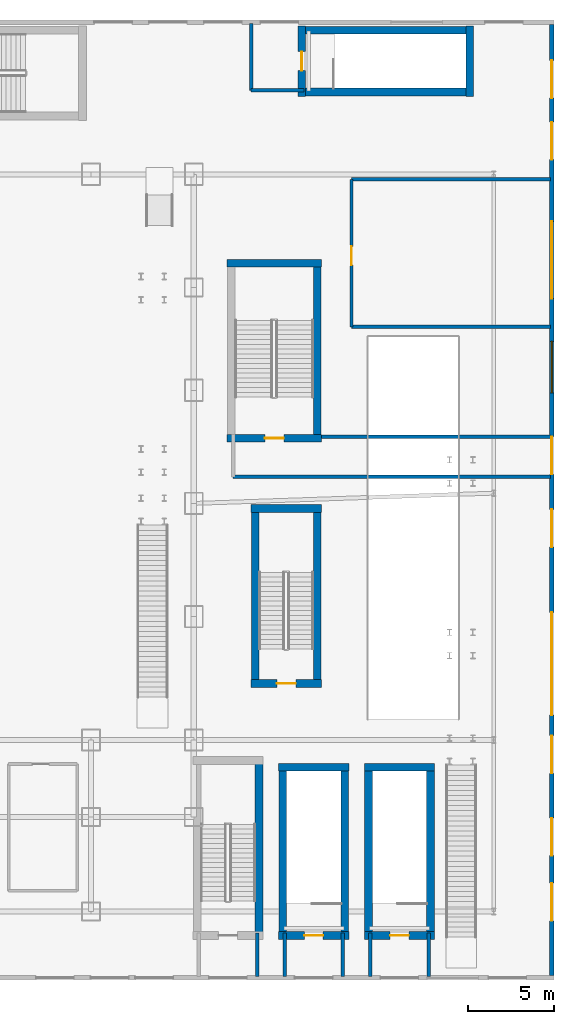
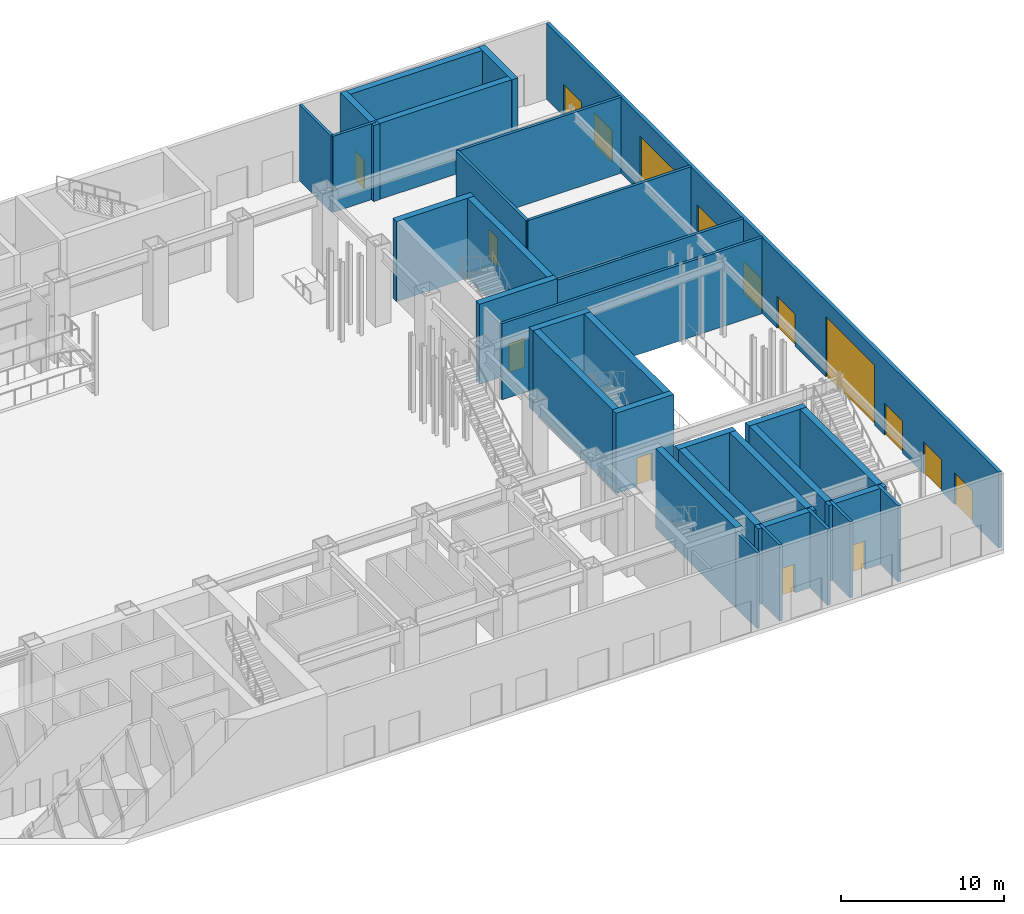
# One storey, part 15 of 25: 33 walls, 15 doors, 1 window, 16 openings.
"""IFC4 building model written with IfcOpenShell, lengths in metres."""

from ifc_helpers import new_model, si_unit, derived_unit, direction, frame, frame_2d, origin, place, context, subcontext, project, spatial, rectangle, extrude, source, transform, mapped, material, layer, layer_set, type_object, element, fill, save


model = new_model("IFC4")

# Units and contexts
model_context = context("Model", 3, precision=1e-05, world=origin(), true_north=direction((0.0, 1.0)))
body_context = subcontext(model_context, "Body", "Model", "MODEL_VIEW")
ifc_project = project(units=[si_unit("LENGTHUNIT", "METRE"), si_unit("AREAUNIT", "SQUARE_METRE"), si_unit("VOLUMEUNIT", "CUBIC_METRE"), si_unit("PLANEANGLEUNIT", "RADIAN"), si_unit("MASSUNIT", "GRAM", prefix="KILO"), derived_unit("THERMALTRANSMITTANCEUNIT", [(si_unit("POWERUNIT", "WATT"), 1), (si_unit("LENGTHUNIT", "METRE"), -2), (si_unit("THERMODYNAMICTEMPERATUREUNIT", "KELVIN"), -1)])], contexts=[model_context])

# Site, building, storey
site_placement = place(None, origin())
site = spatial("IfcSite", under=ifc_project, at=site_placement, CompositionType="ELEMENT")
building_placement = place(site_placement, origin())
building = spatial("IfcBuilding", under=site, at=building_placement, Name="Skarnbrae Concourse Arena and Tower", CompositionType="ELEMENT")
storey_placement = place(building_placement, origin())
storey = spatial("IfcBuildingStorey", under=building, at=storey_placement, Name="L00", CompositionType="ELEMENT", Elevation=0.0)

# Wall, openings, doors, window
ifc_material_1 = material(Name="Precast concrete 40 MPa (C40/50)", Category="concrete")
ifc_layer_1 = layer(ifc_material_1, 0.25)
ifc_layer_set_1 = layer_set([ifc_layer_1], Name="Precast concrete 40 MPa (C40/50)")
wall_type_1 = type_object("IfcWallType", Name="WALL-EXT-SPANDREL-250", PredefinedType="STANDARD", material=ifc_layer_set_1)
shared_shape_1 = source(origin(), body_context, "Body", "SweptSolid", [
    extrude(rectangle(XDim=55.5, YDim=0.25, at=frame_2d((27.75, 0.0))), origin(), (0.0, 0.0, 1.0), 5.699951171875),
])
wall_1_placement = place(storey_placement, frame((81.875, 0.25, 0.0), z_axis=(0.0, 0.0, 1.0), x_axis=(0.0, 1.0, 0.0)))
wall_1 = element("IfcWall", 1, at=wall_1_placement, inside=storey, type_object=wall_type_1, Name="L00 Podium exterior precast wall E", PredefinedType="STANDARD", context=body_context, shape_type="MappedRepresentation", body=[
    mapped(shared_shape_1, transform((0.0, 0.0, 0.0))),
])
opening_1_placement = place(wall_1_placement, frame((3.199951171875, 0.0, 0.0)))
opening_1 = element("IfcOpeningElement", 2, at=opening_1_placement, cuts=wall_1, Name="Opening DT-EX", PredefinedType="OPENING", context=body_context, shape_type="SweptSolid", body=[
    extrude(rectangle(XDim=2.199951171875, YDim=2.39990234375, at=frame_2d((1.10009765625, 1.199951171875))), frame((0.0, 0.135009765625, 0.0), z_axis=(0.0, -1.0, 0.0), x_axis=(1.0, 0.0, 0.0)), (0.0, 0.0, 1.0), 0.27001953125),
])
opening_2_placement = place(wall_1_placement, frame((7.0, 0.0, 0.0)))
opening_2 = element("IfcOpeningElement", 3, at=opening_2_placement, cuts=wall_1, Name="Opening DT-EX", PredefinedType="OPENING", context=body_context, shape_type="SweptSolid", body=[
    extrude(rectangle(XDim=2.199951171875, YDim=2.39990234375, at=frame_2d((1.10009765625, 1.199951171875))), frame((0.0, 0.135009765625, 0.0), z_axis=(0.0, -1.0, 0.0), x_axis=(1.0, 0.0, 0.0)), (0.0, 0.0, 1.0), 0.27001953125),
])
opening_3_placement = place(wall_1_placement, frame((11.800048828125, 0.0, 0.0)))
opening_3 = element("IfcOpeningElement", 4, at=opening_3_placement, cuts=wall_1, Name="Opening DT-EX", PredefinedType="OPENING", context=body_context, shape_type="SweptSolid", body=[
    extrude(rectangle(XDim=2.199951171875, YDim=2.39990234375, at=frame_2d((1.10009765625, 1.199951171875))), frame((0.0, 0.135009765625, 0.0), z_axis=(0.0, -1.0, 0.0), x_axis=(1.0, 0.0, 0.0)), (0.0, 0.0, 1.0), 0.27001953125),
])
opening_4_placement = place(wall_1_placement, frame((25.0, 0.0, 0.0)))
opening_4 = element("IfcOpeningElement", 5, at=opening_4_placement, cuts=wall_1, Name="Opening DT-EX", PredefinedType="OPENING", context=body_context, shape_type="SweptSolid", body=[
    extrude(rectangle(XDim=2.199951171875, YDim=2.39990234375, at=frame_2d((1.10009765625, 1.199951171875))), frame((0.0, 0.135009765625, 0.0), z_axis=(0.0, -1.0, 0.0), x_axis=(1.0, 0.0, 0.0)), (0.0, 0.0, 1.0), 0.27001953125),
])
opening_5_placement = place(wall_1_placement, frame((29.25, 0.0, 0.0)))
opening_5 = element("IfcOpeningElement", 6, at=opening_5_placement, cuts=wall_1, Name="Opening DT-EX", PredefinedType="OPENING", context=body_context, shape_type="SweptSolid", body=[
    extrude(rectangle(XDim=2.199951171875, YDim=2.39990234375, at=frame_2d((1.10009765625, 1.199951171875))), frame((0.0, 0.135009765625, 0.0), z_axis=(0.0, -1.0, 0.0), x_axis=(1.0, 0.0, 0.0)), (0.0, 0.0, 1.0), 0.27001953125),
])
opening_6_placement = place(wall_1_placement, frame((47.60009765625, 0.0, 0.0)))
opening_6 = element("IfcOpeningElement", 7, at=opening_6_placement, cuts=wall_1, Name="Opening DT-EX", PredefinedType="OPENING", context=body_context, shape_type="SweptSolid", body=[
    extrude(rectangle(XDim=2.199951171875, YDim=2.39990234375, at=frame_2d((1.10009765625, 1.199951171875))), frame((0.0, 0.135009765625, 0.0), z_axis=(0.0, -1.0, 0.0), x_axis=(1.0, 0.0, 0.0)), (0.0, 0.0, 1.0), 0.27001953125),
])
opening_7_placement = place(wall_1_placement, frame((51.199951171875, 0.0, 0.0)))
opening_7 = element("IfcOpeningElement", 8, at=opening_7_placement, cuts=wall_1, Name="Opening DT-EX", PredefinedType="OPENING", context=body_context, shape_type="SweptSolid", body=[
    extrude(rectangle(XDim=2.199951171875, YDim=2.39990234375, at=frame_2d((1.10009765625, 1.199951171875))), frame((0.0, 0.135009765625, 0.0), z_axis=(0.0, -1.0, 0.0), x_axis=(1.0, 0.0, 0.0)), (0.0, 0.0, 1.0), 0.27001953125),
])
opening_8_placement = place(wall_1_placement, frame((15.199951171875, 0.0, 0.0)))
opening_8 = element("IfcOpeningElement", 9, at=opening_8_placement, cuts=wall_1, Name="Opening VG-01", PredefinedType="OPENING", context=body_context, shape_type="SweptSolid", body=[
    extrude(rectangle(XDim=6.0, YDim=4.5, at=frame_2d((3.0, 2.25))), frame((0.0, 0.135009765625, 0.0), z_axis=(0.0, -1.0, 0.0), x_axis=(1.0, 0.0, 0.0)), (0.0, 0.0, 1.0), 0.27001953125),
])
opening_9_placement = place(wall_1_placement, frame((39.5, 0.0, 0.0)))
opening_9 = element("IfcOpeningElement", 10, at=opening_9_placement, cuts=wall_1, Name="Opening VG-02", PredefinedType="OPENING", context=body_context, shape_type="SweptSolid", body=[
    extrude(rectangle(XDim=4.5, YDim=4.199951171875, at=frame_2d((2.25, 2.10009765625))), frame((0.0, 0.135009765625, 0.0), z_axis=(0.0, -1.0, 0.0), x_axis=(1.0, 0.0, 0.0)), (0.0, 0.0, 1.0), 0.27001953125),
])
opening_10_placement = place(wall_1_placement, frame((34.0, 0.0, 0.89990234375)))
opening_10 = element("IfcOpeningElement", 11, at=opening_10_placement, cuts=wall_1, Name="Opening WN-04", PredefinedType="OPENING", context=body_context, shape_type="SweptSolid", body=[
    extrude(rectangle(XDim=3.0, YDim=2.39990234375, at=frame_2d((1.5, 1.199951171875))), frame((0.0, 0.135009765625, 0.0), z_axis=(0.0, -1.0, 0.0), x_axis=(1.0, 0.0, 0.0)), (0.0, 0.0, 1.0), 0.27001953125),
])
ifc_material_2 = material(Name="Bronze anodised aluminium 6063-T6", Category="aluminium")
door_type_1 = type_object("IfcDoorType", Name="DOOR-EXIT-2200", OperationType="DOUBLE_DOOR_SINGLE_SWING", PredefinedType="DOOR", material=ifc_material_2)
shared_shape_2 = source(origin(), body_context, "Body", "SweptSolid", [
    extrude(rectangle(XDim=2.199951171875, YDim=2.39990234375, at=frame_2d((1.10009765625, 1.199951171875))), frame((0.0, 0.02490234375, 0.0), z_axis=(0.0, -1.0, 0.0), x_axis=(1.0, 0.0, 0.0)), (0.0, 0.0, 1.0), 0.050048828125),
])
door_1_placement = place(opening_1_placement, frame((2.199951171875, 0.0, 0.0), z_axis=(0.0, 0.0, 1.0), x_axis=(-1.0, 0.0, 0.0)))
door_1 = element("IfcDoor", 12, at=door_1_placement, inside=storey, type_object=door_type_1, Name="D-0028 Final Exit EX-28", OperationType="DOUBLE_DOOR_SINGLE_SWING", OverallHeight=2.39990234375, OverallWidth=2.199951171875, PredefinedType="DOOR", context=body_context, shape_type="MappedRepresentation", body=[
    mapped(shared_shape_2, transform((0.0, 0.0, 0.0))),
])
fill(opening_1, door_1)
door_2_placement = place(opening_2_placement, frame((2.199951171875, 0.0, 0.0), z_axis=(0.0, 0.0, 1.0), x_axis=(-1.0, 0.0, 0.0)))
door_2 = element("IfcDoor", 13, at=door_2_placement, inside=storey, type_object=door_type_1, Name="D-0029 Final Exit EX-29", OperationType="DOUBLE_DOOR_SINGLE_SWING", OverallHeight=2.39990234375, OverallWidth=2.199951171875, PredefinedType="DOOR", context=body_context, shape_type="MappedRepresentation", body=[
    mapped(shared_shape_2, transform((0.0, 0.0, 0.0))),
])
fill(opening_2, door_2)
door_3_placement = place(opening_3_placement, frame((2.199951171875, 0.0, 0.0), z_axis=(0.0, 0.0, 1.0), x_axis=(-1.0, 0.0, 0.0)))
door_3 = element("IfcDoor", 14, at=door_3_placement, inside=storey, type_object=door_type_1, Name="D-0030 Final Exit EX-30", OperationType="DOUBLE_DOOR_SINGLE_SWING", OverallHeight=2.39990234375, OverallWidth=2.199951171875, PredefinedType="DOOR", context=body_context, shape_type="MappedRepresentation", body=[
    mapped(shared_shape_2, transform((0.0, 0.0, 0.0))),
])
fill(opening_3, door_3)
door_4_placement = place(opening_4_placement, frame((2.199951171875, 0.0, 0.0), z_axis=(0.0, 0.0, 1.0), x_axis=(-1.0, 0.0, 0.0)))
door_4 = element("IfcDoor", 15, at=door_4_placement, inside=storey, type_object=door_type_1, Name="D-0031 Final Exit EX-31", OperationType="DOUBLE_DOOR_SINGLE_SWING", OverallHeight=2.39990234375, OverallWidth=2.199951171875, PredefinedType="DOOR", context=body_context, shape_type="MappedRepresentation", body=[
    mapped(shared_shape_2, transform((0.0, 0.0, 0.0))),
])
fill(opening_4, door_4)
door_5_placement = place(opening_5_placement, frame((2.199951171875, 0.0, 0.0), z_axis=(0.0, 0.0, 1.0), x_axis=(-1.0, 0.0, 0.0)))
door_5 = element("IfcDoor", 16, at=door_5_placement, inside=storey, type_object=door_type_1, Name="D-0032 Final Exit EX-32", OperationType="DOUBLE_DOOR_SINGLE_SWING", OverallHeight=2.39990234375, OverallWidth=2.199951171875, PredefinedType="DOOR", context=body_context, shape_type="MappedRepresentation", body=[
    mapped(shared_shape_2, transform((0.0, 0.0, 0.0))),
])
fill(opening_5, door_5)
door_6_placement = place(opening_6_placement, frame((2.199951171875, 0.0, 0.0), z_axis=(0.0, 0.0, 1.0), x_axis=(-1.0, 0.0, 0.0)))
door_6 = element("IfcDoor", 17, at=door_6_placement, inside=storey, type_object=door_type_1, Name="D-0033 Final Exit EX-33", OperationType="DOUBLE_DOOR_SINGLE_SWING", OverallHeight=2.39990234375, OverallWidth=2.199951171875, PredefinedType="DOOR", context=body_context, shape_type="MappedRepresentation", body=[
    mapped(shared_shape_2, transform((0.0, 0.0, 0.0))),
])
fill(opening_6, door_6)
door_7_placement = place(opening_7_placement, frame((2.199951171875, 0.0, 0.0), z_axis=(0.0, 0.0, 1.0), x_axis=(-1.0, 0.0, 0.0)))
door_7 = element("IfcDoor", 18, at=door_7_placement, inside=storey, type_object=door_type_1, Name="D-0034 Final Exit EX-34", OperationType="DOUBLE_DOOR_SINGLE_SWING", OverallHeight=2.39990234375, OverallWidth=2.199951171875, PredefinedType="DOOR", context=body_context, shape_type="MappedRepresentation", body=[
    mapped(shared_shape_2, transform((0.0, 0.0, 0.0))),
])
fill(opening_7, door_7)
ifc_material_3 = material(Name="Steel CSA G40.21 350W", Category="steel")
door_type_2 = type_object("IfcDoorType", Name="DOOR-GATE-6000", OperationType="USERDEFINED", PredefinedType="GATE", material=ifc_material_3)
shared_shape_3 = source(origin(), body_context, "Body", "SweptSolid", [
    extrude(rectangle(XDim=6.0, YDim=4.5, at=frame_2d((3.0, 2.25))), frame((0.0, 0.02490234375, 0.0), z_axis=(0.0, -1.0, 0.0), x_axis=(1.0, 0.0, 0.0)), (0.0, 0.0, 1.0), 0.050048828125),
])
door_8_placement = place(opening_8_placement, frame((6.0, 0.0, 0.0), z_axis=(0.0, 0.0, 1.0), x_axis=(-1.0, 0.0, 0.0)))
door_8 = element("IfcDoor", 19, at=door_8_placement, inside=storey, type_object=door_type_2, Name="D-0035 Transit Service Bay Shutter VG-01", OperationType="ROLLINGUP", OverallHeight=4.5, OverallWidth=6.0, PredefinedType="GATE", context=body_context, shape_type="MappedRepresentation", body=[
    mapped(shared_shape_3, transform((0.0, 0.0, 0.0))),
])
fill(opening_8, door_8)
door_type_3 = type_object("IfcDoorType", Name="DOOR-GATE-4500", OperationType="USERDEFINED", PredefinedType="GATE", material=ifc_material_3)
shared_shape_4 = source(origin(), body_context, "Body", "SweptSolid", [
    extrude(rectangle(XDim=4.5, YDim=4.199951171875, at=frame_2d((2.25, 2.10009765625))), frame((0.0, 0.02490234375, 0.0), z_axis=(0.0, -1.0, 0.0), x_axis=(1.0, 0.0, 0.0)), (0.0, 0.0, 1.0), 0.050048828125),
])
door_9_placement = place(opening_9_placement, frame((4.5, 0.0, 0.0), z_axis=(0.0, 0.0, 1.0), x_axis=(-1.0, 0.0, 0.0)))
door_9 = element("IfcDoor", 20, at=door_9_placement, inside=storey, type_object=door_type_3, Name="D-0036 Loading Dock Roller Shutter LD-DOCK", OperationType="ROLLINGUP", OverallHeight=4.199951171875, OverallWidth=4.5, PredefinedType="GATE", context=body_context, shape_type="MappedRepresentation", body=[
    mapped(shared_shape_4, transform((0.0, 0.0, 0.0))),
])
fill(opening_9, door_9)
ifc_material_4 = material(Name="Low-E triple insulating glass", Category="glass")
window_type = type_object("IfcWindowType", Name="WIN-EXT-3000X2400", PartitioningType="SINGLE_PANEL", PredefinedType="WINDOW", material=ifc_material_4)
shared_shape_5 = source(origin(), body_context, "Body", "SweptSolid", [
    extrude(rectangle(XDim=3.0, YDim=2.39990234375, at=frame_2d((1.5, 1.199951171875))), frame((0.0, 0.030029296875, 0.0), z_axis=(0.0, -1.0, 0.0), x_axis=(1.0, 0.0, 0.0)), (0.0, 0.0, 1.0), 0.06005859375),
])
window_placement = place(opening_10_placement, origin())
window = element("IfcWindow", 21, at=window_placement, inside=storey, type_object=window_type, Name="L00 Concourse clerestory window N01", OverallHeight=2.39990234375, OverallWidth=3.0, PartitioningType="SINGLE_PANEL", PredefinedType="WINDOW", context=body_context, shape_type="MappedRepresentation", body=[
    mapped(shared_shape_5, transform((0.0, 0.0, 0.0))),
])
fill(opening_10, window)

# Walls
ifc_material_5 = material(Name="Concrete 50 MPa (C50/60)", Category="concrete")
ifc_layer_2 = layer(ifc_material_5, 0.449951171875)
ifc_layer_set_2 = layer_set([ifc_layer_2], Name="Concrete 50 MPa (C50/60)")
wall_type_2 = type_object("IfcWallType", Name="WALL-CORE-450-C50", PredefinedType="SHEAR", material=ifc_layer_set_2)
shared_shape_6 = source(origin(), body_context, "Body", "SweptSolid", [
    extrude(rectangle(XDim=9.800048828125, YDim=0.449951171875, at=frame_2d((4.89990234375, 0.0))), origin(), (0.0, 0.0, 1.0), 6.0),
])
for number, where, z_axis, x_axis, name in (
    (22, (64.804931640625, 2.800048828125, 0.0), (0.0, 0.0, 1.0), (0.0, 1.0, 0.0), "L00 Protected stair shaft wall ST-A1-E"),
    (23, (64.594970703125, 17.5, 0.0), (0.0, 0.0, 1.0), (0.0, 1.0, 0.0), "L00 Protected stair shaft wall ST-A2-W"),
    (24, (68.205078125, 17.5, 0.0), (0.0, 0.0, 1.0), (0.0, 1.0, 0.0), "L00 Protected stair shaft wall ST-A2-E"),
    (25, (68.205078125, 31.800048828125, 0.0), (0.0, 0.0, 1.0), (0.0, 1.0, 0.0), "L00 Protected stair shaft wall ST-A4-E"),
):
    element("IfcWall", number, at=place(storey_placement, frame(where, z_axis=z_axis, x_axis=x_axis)), inside=storey, type_object=wall_type_2, Name=name, PredefinedType="SHEAR", context=body_context, shape_type="MappedRepresentation", body=[
        mapped(shared_shape_6, transform((0.0, 0.0, 0.0))),
    ])

# Wall, opening, door
shared_shape_7 = source(origin(), body_context, "Body", "SweptSolid", [
    extrude(rectangle(XDim=4.099853515625, YDim=0.449951171875, at=frame_2d((2.0498046875, 0.0))), origin(), (0.0, 0.0, 1.0), 6.0),
])
wall_2_placement = place(storey_placement, frame((64.35009765625, 17.294921875, 0.0), z_axis=(0.0, 0.0, 1.0), x_axis=(1.0, 0.0, 0.0)))
wall_2 = element("IfcWall", 26, at=wall_2_placement, inside=storey, type_object=wall_type_2, Name="L00 Protected stair shaft wall ST-A2-S", PredefinedType="SHEAR", context=body_context, shape_type="MappedRepresentation", body=[
    mapped(shared_shape_7, transform((0.0, 0.0, 0.0))),
])
opening_11_placement = place(wall_2_placement, frame((1.5, 0.0, 0.0)))
opening_11 = element("IfcOpeningElement", 27, at=opening_11_placement, cuts=wall_2, Name="Opening DT-03", PredefinedType="OPENING", context=body_context, shape_type="SweptSolid", body=[
    extrude(rectangle(XDim=1.10009765625, YDim=2.14990234375, at=frame_2d((0.550048828125, 1.074951171875))), frame((0.0, 0.23486328125, 0.0), z_axis=(0.0, -1.0, 0.0), x_axis=(1.0, 0.0, 0.0)), (0.0, 0.0, 1.0), 0.469970703125),
])
door_type_4 = type_object("IfcDoorType", Name="DOOR-FIRE-1100-90M", OperationType="NOTDEFINED", PredefinedType="DOOR", material=ifc_material_3)
shared_shape_8 = source(origin(), body_context, "Body", "SweptSolid", [
    extrude(rectangle(XDim=1.10009765625, YDim=2.14990234375, at=frame_2d((0.550048828125, 1.074951171875))), frame((0.0, 0.02490234375, 0.0), z_axis=(0.0, -1.0, 0.0), x_axis=(1.0, 0.0, 0.0)), (0.0, 0.0, 1.0), 0.050048828125),
])
door_10_placement = place(opening_11_placement, frame((1.10009765625, 0.0, 0.0), z_axis=(0.0, 0.0, 1.0), x_axis=(-1.0, 0.0, 0.0)))
door_10 = element("IfcDoor", 28, at=door_10_placement, inside=storey, type_object=door_type_4, Name="D-0188 Exit Stair ST-A2 Door", OperationType="SINGLE_SWING_LEFT", OverallHeight=2.14990234375, OverallWidth=1.10009765625, PredefinedType="DOOR", context=body_context, shape_type="MappedRepresentation", body=[
    mapped(shared_shape_8, transform((0.0, 0.0, 0.0))),
])
fill(opening_11, door_10)

# Wall
wall_3_placement = place(storey_placement, frame((64.35009765625, 27.5048828125, 0.0), z_axis=(0.0, 0.0, 1.0), x_axis=(1.0, 0.0, 0.0)))
element("IfcWall", 29, at=wall_3_placement, inside=storey, type_object=wall_type_2, Name="L00 Protected stair shaft wall ST-A2-N", PredefinedType="SHEAR", context=body_context, shape_type="MappedRepresentation", body=[
    mapped(shared_shape_7, transform((0.0, 0.0, 0.0))),
])

# Wall, opening, door
shared_shape_9 = source(origin(), body_context, "Body", "SweptSolid", [
    extrude(rectangle(XDim=5.5, YDim=0.449951171875, at=frame_2d((2.75, 0.0))), origin(), (0.0, 0.0, 1.0), 6.0),
])
wall_4_placement = place(storey_placement, frame((62.949951171875, 31.594970703125, 0.0), z_axis=(0.0, 0.0, 1.0), x_axis=(1.0, 0.0, 0.0)))
wall_4 = element("IfcWall", 30, at=wall_4_placement, inside=storey, type_object=wall_type_2, Name="L00 Protected stair shaft wall ST-A4-S", PredefinedType="SHEAR", context=body_context, shape_type="MappedRepresentation", body=[
    mapped(shared_shape_9, transform((0.0, 0.0, 0.0))),
])
opening_12_placement = place(wall_4_placement, frame((2.199951171875, 0.0, 0.0)))
opening_12 = element("IfcOpeningElement", 31, at=opening_12_placement, cuts=wall_4, Name="Opening DT-03", PredefinedType="OPENING", context=body_context, shape_type="SweptSolid", body=[
    extrude(rectangle(XDim=1.10009765625, YDim=2.14990234375, at=frame_2d((0.550048828125, 1.074951171875))), frame((0.0, 0.23486328125, 0.0), z_axis=(0.0, -1.0, 0.0), x_axis=(1.0, 0.0, 0.0)), (0.0, 0.0, 1.0), 0.469970703125),
])
door_11_placement = place(opening_12_placement, frame((1.10009765625, 0.0, 0.0), z_axis=(0.0, 0.0, 1.0), x_axis=(-1.0, 0.0, 0.0)))
door_11 = element("IfcDoor", 32, at=door_11_placement, inside=storey, type_object=door_type_4, Name="D-0190 Exit Stair ST-A4 Door", OperationType="SINGLE_SWING_LEFT", OverallHeight=2.14990234375, OverallWidth=1.10009765625, PredefinedType="DOOR", context=body_context, shape_type="MappedRepresentation", body=[
    mapped(shared_shape_8, transform((0.0, 0.0, 0.0))),
])
fill(opening_12, door_11)

# Wall
wall_5_placement = place(storey_placement, frame((62.949951171875, 41.804931640625, 0.0), z_axis=(0.0, 0.0, 1.0), x_axis=(1.0, 0.0, 0.0)))
element("IfcWall", 33, at=wall_5_placement, inside=storey, type_object=wall_type_2, Name="L00 Protected stair shaft wall ST-A4-N", PredefinedType="SHEAR", context=body_context, shape_type="MappedRepresentation", body=[
    mapped(shared_shape_9, transform((0.0, 0.0, 0.0))),
])

# Wall, opening, door
shared_shape_10 = source(origin(), body_context, "Body", "SweptSolid", [
    extrude(rectangle(XDim=4.10009765625, YDim=0.449951171875, at=frame_2d((2.050048828125, 0.0))), origin(), (0.0, 0.0, 1.0), 5.699951171875),
])
wall_6_placement = place(storey_placement, frame((65.949951171875, 2.594970703125, 0.0), z_axis=(0.0, 0.0, 1.0), x_axis=(1.0, 0.0, 0.0)))
wall_6 = element("IfcWall", 34, at=wall_6_placement, inside=storey, type_object=wall_type_2, Name="L00 Protected stair shaft wall ST-B1-S", PredefinedType="SHEAR", context=body_context, shape_type="MappedRepresentation", body=[
    mapped(shared_shape_10, transform((0.0, 0.0, 0.0))),
])
opening_13_placement = place(wall_6_placement, frame((1.5, 0.0, 0.0)))
opening_13 = element("IfcOpeningElement", 35, at=opening_13_placement, cuts=wall_6, Name="Opening DT-03", PredefinedType="OPENING", context=body_context, shape_type="SweptSolid", body=[
    extrude(rectangle(XDim=1.10009765625, YDim=2.14990234375, at=frame_2d((0.550048828125, 1.074951171875))), frame((0.0, 0.23486328125, 0.0), z_axis=(0.0, -1.0, 0.0), x_axis=(1.0, 0.0, 0.0)), (0.0, 0.0, 1.0), 0.469970703125),
])
door_12_placement = place(opening_13_placement, frame((1.10009765625, 0.0, 0.0), z_axis=(0.0, 0.0, 1.0), x_axis=(-1.0, 0.0, 0.0)))
door_12 = element("IfcDoor", 36, at=door_12_placement, inside=storey, type_object=door_type_4, Name="D-0195 Exit Stair ST-B1 Door", OperationType="SINGLE_SWING_LEFT", OverallHeight=2.14990234375, OverallWidth=1.10009765625, PredefinedType="DOOR", context=body_context, shape_type="MappedRepresentation", body=[
    mapped(shared_shape_8, transform((0.0, 0.0, 0.0))),
])
fill(opening_13, door_12)

# Wall
wall_7_placement = place(storey_placement, frame((65.949951171875, 12.405029296875, 0.0), z_axis=(0.0, 0.0, 1.0), x_axis=(1.0, 0.0, 0.0)))
element("IfcWall", 37, at=wall_7_placement, inside=storey, type_object=wall_type_2, Name="L00 Protected stair shaft wall ST-B1-N", PredefinedType="SHEAR", context=body_context, shape_type="MappedRepresentation", body=[
    mapped(shared_shape_10, transform((0.0, 0.0, 0.0))),
])

# Wall, opening, door
wall_8_placement = place(storey_placement, frame((70.949951171875, 2.594970703125, 0.0), z_axis=(0.0, 0.0, 1.0), x_axis=(1.0, 0.0, 0.0)))
wall_8 = element("IfcWall", 38, at=wall_8_placement, inside=storey, type_object=wall_type_2, Name="L00 Protected stair shaft wall ST-B2-S", PredefinedType="SHEAR", context=body_context, shape_type="MappedRepresentation", body=[
    mapped(shared_shape_10, transform((0.0, 0.0, 0.0))),
])
opening_14_placement = place(wall_8_placement, frame((1.5, 0.0, 0.0)))
opening_14 = element("IfcOpeningElement", 39, at=opening_14_placement, cuts=wall_8, Name="Opening DT-03", PredefinedType="OPENING", context=body_context, shape_type="SweptSolid", body=[
    extrude(rectangle(XDim=1.10009765625, YDim=2.14990234375, at=frame_2d((0.550048828125, 1.074951171875))), frame((0.0, 0.23486328125, 0.0), z_axis=(0.0, -1.0, 0.0), x_axis=(1.0, 0.0, 0.0)), (0.0, 0.0, 1.0), 0.469970703125),
])
door_13_placement = place(opening_14_placement, frame((1.10009765625, 0.0, 0.0), z_axis=(0.0, 0.0, 1.0), x_axis=(-1.0, 0.0, 0.0)))
door_13 = element("IfcDoor", 40, at=door_13_placement, inside=storey, type_object=door_type_4, Name="D-0196 Exit Stair ST-B2 Door", OperationType="SINGLE_SWING_LEFT", OverallHeight=2.14990234375, OverallWidth=1.10009765625, PredefinedType="DOOR", context=body_context, shape_type="MappedRepresentation", body=[
    mapped(shared_shape_8, transform((0.0, 0.0, 0.0))),
])
fill(opening_14, door_13)

# Walls
wall_9_placement = place(storey_placement, frame((70.949951171875, 12.405029296875, 0.0), z_axis=(0.0, 0.0, 1.0), x_axis=(1.0, 0.0, 0.0)))
element("IfcWall", 41, at=wall_9_placement, inside=storey, type_object=wall_type_2, Name="L00 Protected stair shaft wall ST-B2-N", PredefinedType="SHEAR", context=body_context, shape_type="MappedRepresentation", body=[
    mapped(shared_shape_10, transform((0.0, 0.0, 0.0))),
])
shared_shape_11 = source(origin(), body_context, "Body", "SweptSolid", [
    extrude(rectangle(XDim=9.39990234375, YDim=0.449951171875, at=frame_2d((4.699951171875, 0.0))), origin(), (0.0, 0.0, 1.0), 5.699951171875),
])
for number, where, z_axis, x_axis, name in (
    (42, (66.195068359375, 2.800048828125, 0.0), (0.0, 0.0, 1.0), (0.0, 1.0, 0.0), "L00 Protected stair shaft wall ST-B1-W"),
    (43, (69.804931640625, 2.800048828125, 0.0), (0.0, 0.0, 1.0), (0.0, 1.0, 0.0), "L00 Protected stair shaft wall ST-B1-E"),
    (44, (71.195068359375, 2.800048828125, 0.0), (0.0, 0.0, 1.0), (0.0, 1.0, 0.0), "L00 Protected stair shaft wall ST-B2-W"),
    (45, (74.804931640625, 2.800048828125, 0.0), (0.0, 0.0, 1.0), (0.0, 1.0, 0.0), "L00 Protected stair shaft wall ST-B2-E"),
    (46, (67.5, 51.794921875, 0.0), (0.0, 0.0, 1.0), (1.0, 0.0, 0.0), "L00 Protected stair shaft wall ST-B4-S"),
    (47, (67.5, 55.405029296875, 0.0), (0.0, 0.0, 1.0), (1.0, 0.0, 0.0), "L00 Protected stair shaft wall ST-B4-N"),
):
    element("IfcWall", number, at=place(storey_placement, frame(where, z_axis=z_axis, x_axis=x_axis)), inside=storey, type_object=wall_type_2, Name=name, PredefinedType="SHEAR", context=body_context, shape_type="MappedRepresentation", body=[
        mapped(shared_shape_11, transform((0.0, 0.0, 0.0))),
    ])

# Wall, opening, door
shared_shape_12 = source(origin(), body_context, "Body", "SweptSolid", [
    extrude(rectangle(XDim=4.099853515625, YDim=0.449951171875, at=frame_2d((2.0498046875, 0.0))), origin(), (0.0, 0.0, 1.0), 5.699951171875),
])
wall_10_placement = place(storey_placement, frame((67.294921875, 51.550048828125, 0.0), z_axis=(0.0, 0.0, 1.0), x_axis=(0.0, 1.0, 0.0)))
wall_10 = element("IfcWall", 48, at=wall_10_placement, inside=storey, type_object=wall_type_2, Name="L00 Protected stair shaft wall ST-B4-W", PredefinedType="SHEAR", context=body_context, shape_type="MappedRepresentation", body=[
    mapped(shared_shape_12, transform((0.0, 0.0, 0.0))),
])
opening_15_placement = place(wall_10_placement, frame((1.5, 0.0, 0.0)))
opening_15 = element("IfcOpeningElement", 49, at=opening_15_placement, cuts=wall_10, Name="Opening DT-03", PredefinedType="OPENING", context=body_context, shape_type="SweptSolid", body=[
    extrude(rectangle(XDim=1.10009765625, YDim=2.14990234375, at=frame_2d((0.550048828125, 1.074951171875))), frame((0.0, 0.23486328125, 0.0), z_axis=(0.0, -1.0, 0.0), x_axis=(1.0, 0.0, 0.0)), (0.0, 0.0, 1.0), 0.469970703125),
])
door_14_placement = place(opening_15_placement, origin())
door_14 = element("IfcDoor", 50, at=door_14_placement, inside=storey, type_object=door_type_4, Name="D-0198 Exit Stair ST-B4 Door", OperationType="SINGLE_SWING_LEFT", OverallHeight=2.14990234375, OverallWidth=1.10009765625, PredefinedType="DOOR", context=body_context, shape_type="MappedRepresentation", body=[
    mapped(shared_shape_8, transform((0.0, 0.0, 0.0))),
])
fill(opening_15, door_14)

# Walls
wall_11_placement = place(storey_placement, frame((77.10498046875, 51.550048828125, 0.0), z_axis=(0.0, 0.0, 1.0), x_axis=(0.0, 1.0, 0.0)))
element("IfcWall", 51, at=wall_11_placement, inside=storey, type_object=wall_type_2, Name="L00 Protected stair shaft wall ST-B4-E", PredefinedType="SHEAR", context=body_context, shape_type="MappedRepresentation", body=[
    mapped(shared_shape_12, transform((0.0, 0.0, 0.0))),
])
ifc_material_6 = material(Name="Gypsum board on cold-formed steel studs", Category="steel")
ifc_layer_3 = layer(ifc_material_6, 0.199951171875)
ifc_layer_set_3 = layer_set([ifc_layer_3], Name="Gypsum board on cold-formed steel studs")
wall_type_3 = type_object("IfcWallType", Name="WALL-PART-200-2HR", PredefinedType="PARTITIONING", material=ifc_layer_set_3)
shared_shape_13 = source(origin(), body_context, "Body", "SweptSolid", [
    extrude(rectangle(XDim=18.5, YDim=0.199951171875, at=frame_2d((9.25, 0.0))), origin(), (0.0, 0.0, 1.0), 5.699951171875),
])
wall_12_placement = place(storey_placement, frame((63.300048828125, 29.35009765625, 0.0), z_axis=(0.0, 0.0, 1.0), x_axis=(1.0, 0.0, 0.0)))
element("IfcWall", 52, at=wall_12_placement, inside=storey, type_object=wall_type_3, Name="L00 Interior partition wall W-L00-PEX-ST-A4-S", PredefinedType="PARTITIONING", context=body_context, shape_type="MappedRepresentation", body=[
    mapped(shared_shape_13, transform((0.0, 0.0, 0.0))),
])
shared_shape_14 = source(origin(), body_context, "Body", "SweptSolid", [
    extrude(rectangle(XDim=13.550048828125, YDim=0.199951171875, at=frame_2d((6.77490234375, 0.0))), origin(), (0.0, 0.0, 1.0), 5.699951171875),
])
wall_13_placement = place(storey_placement, frame((68.25, 31.679931640625, 0.0), z_axis=(0.0, 0.0, 1.0), x_axis=(1.0, 0.0, 0.0)))
element("IfcWall", 53, at=wall_13_placement, inside=storey, type_object=wall_type_3, Name="L00 Interior partition wall W-L00-PEX-ST-A4-N", PredefinedType="PARTITIONING", context=body_context, shape_type="MappedRepresentation", body=[
    mapped(shared_shape_14, transform((0.0, 0.0, 0.0))),
])
shared_shape_15 = source(origin(), body_context, "Body", "SweptSolid", [
    extrude(rectangle(XDim=2.550048828125, YDim=0.199951171875, at=frame_2d((1.27490234375, 0.0))), origin(), (0.0, 0.0, 1.0), 5.699951171875),
])
for number, where, z_axis, x_axis, name in (
    (54, (64.699951171875, 0.199951171875, 0.0), (0.0, 0.0, 1.0), (0.0, 1.0, 0.0), "L00 Interior partition wall W-L00-PEX-ST-A1-E"),
    (55, (66.300048828125, 0.199951171875, 0.0), (0.0, 0.0, 1.0), (0.0, 1.0, 0.0), "L00 Interior partition wall W-L00-PEX-ST-B1-W"),
    (56, (69.699951171875, 0.199951171875, 0.0), (0.0, 0.0, 1.0), (0.0, 1.0, 0.0), "L00 Interior partition wall W-L00-PEX-ST-B1-E"),
    (57, (71.300048828125, 0.199951171875, 0.0), (0.0, 0.0, 1.0), (0.0, 1.0, 0.0), "L00 Interior partition wall W-L00-PEX-ST-B2-W"),
    (58, (74.699951171875, 0.199951171875, 0.0), (0.0, 0.0, 1.0), (0.0, 1.0, 0.0), "L00 Interior partition wall W-L00-PEX-ST-B2-E"),
):
    element("IfcWall", number, at=place(storey_placement, frame(where, z_axis=z_axis, x_axis=x_axis)), inside=storey, type_object=wall_type_3, Name=name, PredefinedType="PARTITIONING", context=body_context, shape_type="MappedRepresentation", body=[
        mapped(shared_shape_15, transform((0.0, 0.0, 0.0))),
    ])
shared_shape_16 = source(origin(), body_context, "Body", "SweptSolid", [
    extrude(rectangle(XDim=3.079833984375, YDim=0.199951171875, at=frame_2d((1.5400390625, 0.0))), origin(), (0.0, 0.0, 1.0), 5.699951171875),
])
wall_14_placement = place(storey_placement, frame((64.35009765625, 51.89990234375, 0.0), z_axis=(0.0, 0.0, 1.0), x_axis=(1.0, 0.0, 0.0)))
element("IfcWall", 59, at=wall_14_placement, inside=storey, type_object=wall_type_3, Name="L00 Interior partition wall W-L00-PEX-ST-B4-S", PredefinedType="PARTITIONING", context=body_context, shape_type="MappedRepresentation", body=[
    mapped(shared_shape_16, transform((0.0, 0.0, 0.0))),
])
shared_shape_17 = source(origin(), body_context, "Body", "SweptSolid", [
    extrude(rectangle(XDim=3.900146484375, YDim=0.199951171875, at=frame_2d((1.9501953125, 0.0))), origin(), (0.0, 0.0, 1.0), 5.699951171875),
])
wall_15_placement = place(storey_placement, frame((64.35009765625, 51.89990234375, 0.0), z_axis=(0.0, 0.0, 1.0), x_axis=(0.0, 1.0, 0.0)))
element("IfcWall", 60, at=wall_15_placement, inside=storey, type_object=wall_type_3, Name="L00 Interior partition wall W-L00-PEX-ST-B4-W", PredefinedType="PARTITIONING", context=body_context, shape_type="MappedRepresentation", body=[
    mapped(shared_shape_17, transform((0.0, 0.0, 0.0))),
])

# Wall, opening, door
shared_shape_18 = source(origin(), body_context, "Body", "SweptSolid", [
    extrude(rectangle(XDim=8.599853515625, YDim=0.199951171875, at=frame_2d((4.2998046875, 0.0))), origin(), (0.0, 0.0, 1.0), 5.699951171875),
])
wall_16_placement = place(storey_placement, frame((70.199951171875, 38.10009765625, 0.0), z_axis=(0.0, 0.0, 1.0), x_axis=(0.0, 1.0, 0.0)))
wall_16 = element("IfcWall", 61, at=wall_16_placement, inside=storey, type_object=wall_type_3, Name="L00 Interior partition wall W-L00-DOCK-W", PredefinedType="PARTITIONING", context=body_context, shape_type="MappedRepresentation", body=[
    mapped(shared_shape_18, transform((0.0, 0.0, 0.0))),
])
opening_16_placement = place(wall_16_placement, frame((3.60009765625, 0.0, 0.0)))
opening_16 = element("IfcOpeningElement", 62, at=opening_16_placement, cuts=wall_16, Name="Opening DT-03", PredefinedType="OPENING", context=body_context, shape_type="SweptSolid", body=[
    extrude(rectangle(XDim=1.10009765625, YDim=2.14990234375, at=frame_2d((0.550048828125, 1.074951171875))), frame((0.0, 0.10986328125, 0.0), z_axis=(0.0, -1.0, 0.0), x_axis=(1.0, 0.0, 0.0)), (0.0, 0.0, 1.0), 0.219970703125),
])
door_15_placement = place(opening_16_placement, frame((1.10009765625, 0.0, 0.0), z_axis=(0.0, 0.0, 1.0), x_axis=(-1.0, 0.0, 0.0)))
door_15 = element("IfcDoor", 63, at=door_15_placement, inside=storey, type_object=door_type_4, Name="D-0180 Loading Dock Corridor Door", OperationType="SINGLE_SWING_LEFT", OverallHeight=2.14990234375, OverallWidth=1.10009765625, PredefinedType="DOOR", context=body_context, shape_type="MappedRepresentation", body=[
    mapped(shared_shape_8, transform((0.0, 0.0, 0.0))),
])
fill(opening_16, door_15)

# Walls
shared_shape_19 = source(origin(), body_context, "Body", "SweptSolid", [
    extrude(rectangle(XDim=11.60009765625, YDim=0.199951171875, at=frame_2d((5.800048828125, 0.0))), origin(), (0.0, 0.0, 1.0), 5.699951171875),
])
for number, where, z_axis, x_axis, name in (
    (64, (70.199951171875, 38.10009765625, 0.0), (0.0, 0.0, 1.0), (1.0, 0.0, 0.0), "L00 Interior partition wall W-L00-DOCK-S"),
    (65, (70.199951171875, 46.699951171875, 0.0), (0.0, 0.0, 1.0), (1.0, 0.0, 0.0), "L00 Interior partition wall W-L00-DOCK-N"),
):
    element("IfcWall", number, at=place(storey_placement, frame(where, z_axis=z_axis, x_axis=x_axis)), inside=storey, type_object=wall_type_3, Name=name, PredefinedType="PARTITIONING", context=body_context, shape_type="MappedRepresentation", body=[
        mapped(shared_shape_19, transform((0.0, 0.0, 0.0))),
    ])

save(model, "model.ifc")
